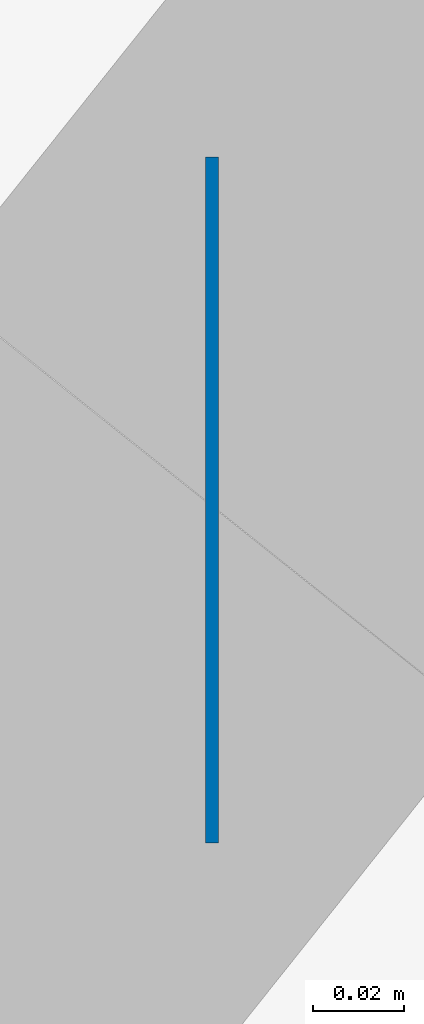
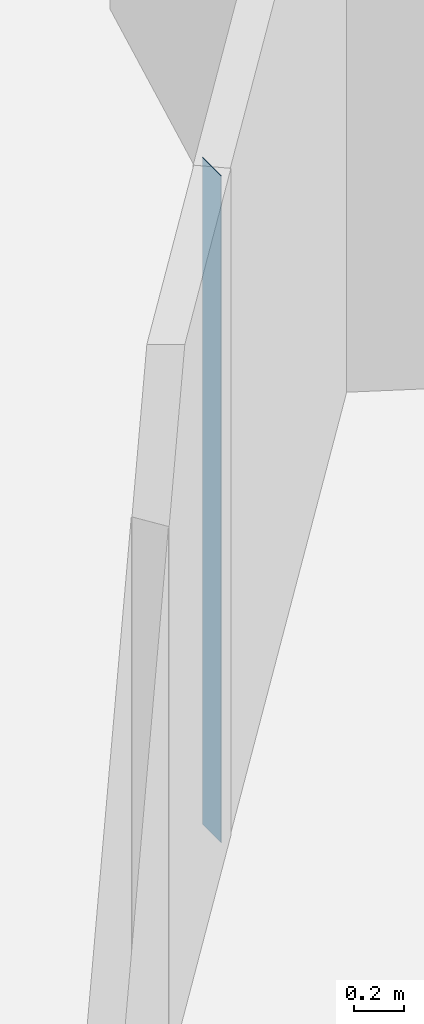
# One storey, part 5 of 12: 1 wall.
"""IFC4 building model written with IfcOpenShell, lengths in metres."""

from ifc_helpers import new_model, si_unit, direction, frame, frame_2d, origin, place, context, subcontext, project, spatial, rectangle, extrude, material, layer, layer_set, type_object, element, save


model = new_model("IFC4")

# Units and contexts
model_context = context("Model", 3, precision=1e-05, world=origin(), true_north=direction((0.0, 1.0)))
body_context = subcontext(model_context, "Body", "Model", "MODEL_VIEW")
ifc_project = project(units=[si_unit("LENGTHUNIT", "METRE"), si_unit("AREAUNIT", "SQUARE_METRE"), si_unit("VOLUMEUNIT", "CUBIC_METRE"), si_unit("PLANEANGLEUNIT", "RADIAN"), si_unit("MASSUNIT", "GRAM", prefix="KILO")], contexts=[model_context])

# Site, building, storey
site_placement = place(None, origin())
site = spatial("IfcSite", under=ifc_project, at=site_placement, CompositionType="ELEMENT")
building_placement = place(site_placement, origin())
building = spatial("IfcBuilding", under=site, at=building_placement, Name="Tracery Tower", CompositionType="ELEMENT")
storey_placement = place(building_placement, frame((0.0, 0.0, 291.0)))
storey = spatial("IfcBuildingStorey", under=building, at=storey_placement, Name="L75", CompositionType="ELEMENT", Elevation=291.0)

# Wall
ifc_material = material(Name="Plasterboard on steel studs", Category="steel")
ifc_layer = layer(ifc_material, 0.14990234375)
ifc_layer_set = layer_set([ifc_layer], Name="Partition 150 corridor wall")
wall_type = type_object("IfcWallType", Name="Partition 150 corridor wall", PredefinedType="PARTITIONING", material=ifc_layer_set)
wall_placement = place(storey_placement, frame((11.136962890625, -8.800048828125, 0.0), z_axis=(0.0, 0.0, 1.0), x_axis=(-1.0, 0.0, 0.0)))
element("IfcWall", 1, at=wall_placement, inside=storey, type_object=wall_type, Name="Corridor wall RC6-019", PredefinedType="PARTITIONING", context=body_context, shape_type="SweptSolid", body=[
    extrude(rectangle(XDim=0.0029296875, YDim=0.14990234375, at=frame_2d((0.00146484375, 0.0))), origin(), (0.0, 0.0, 1.0), 3.25),
])

save(model, "model.ifc")
